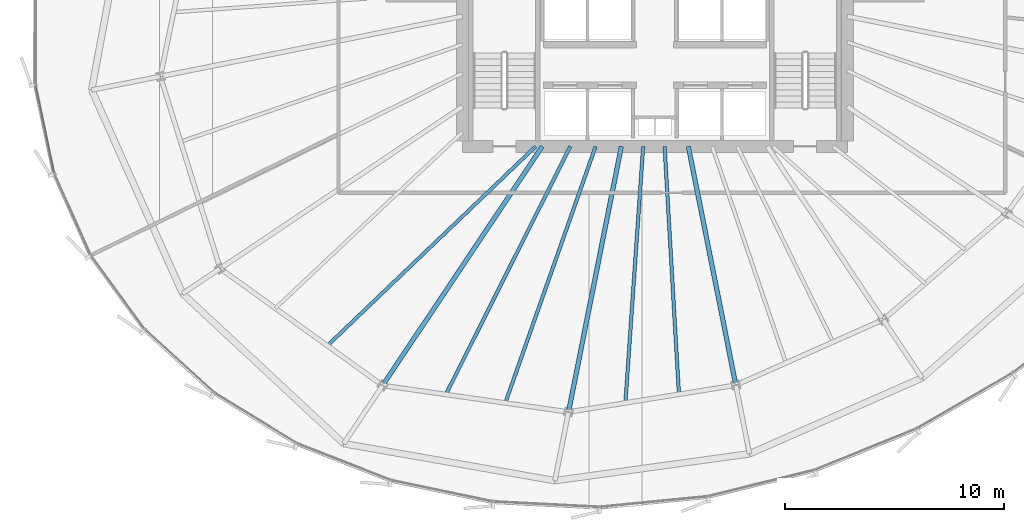
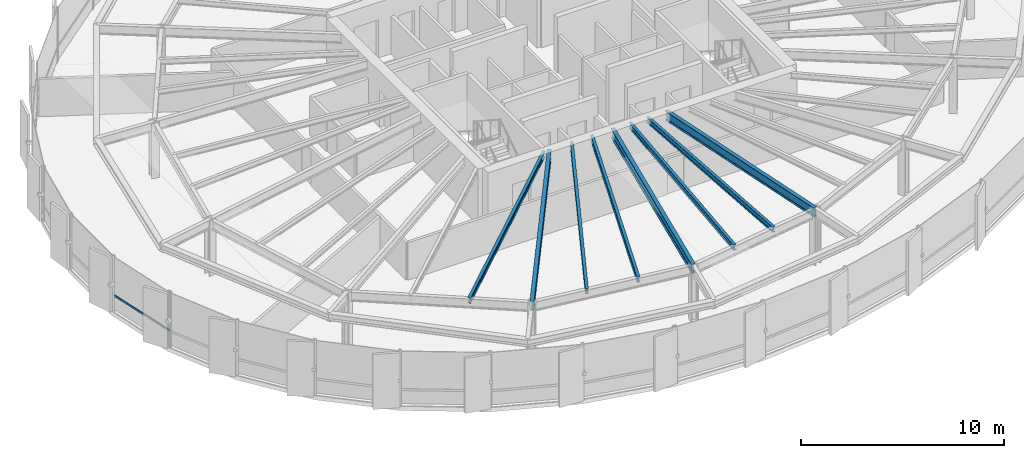
# One storey, part 7 of 35: 8 beams, 1 member, 1 element without a shape of its own.
"""IFC4 building model written with IfcOpenShell, lengths in metres."""

from ifc_helpers import new_model, si_unit, direction, frame, origin, origin_2d, place, context, subcontext, project, spatial, hollow_rectangle, i_section, extrude, source, transform, mapped, material, layer, layer_set, material_profile, profile_set, type_object, element, aggregate, save


model = new_model("IFC4")

# Units and contexts
model_context = context("Model", 3, precision=1e-05, world=origin(), true_north=direction((0.0, 1.0)))
body_context = subcontext(model_context, "Body", "Model", "MODEL_VIEW")
ifc_project = project(units=[si_unit("LENGTHUNIT", "METRE"), si_unit("AREAUNIT", "SQUARE_METRE"), si_unit("VOLUMEUNIT", "CUBIC_METRE"), si_unit("PLANEANGLEUNIT", "RADIAN"), si_unit("MASSUNIT", "GRAM", prefix="KILO"), si_unit("THERMODYNAMICTEMPERATUREUNIT", "KELVIN")], contexts=[model_context])

# Site, building, storey
site_placement = place(None, origin())
site = spatial("IfcSite", under=ifc_project, at=site_placement, CompositionType="ELEMENT")
building_placement = place(site_placement, origin())
building = spatial("IfcBuilding", under=site, at=building_placement, Name="Kethvar Cultural Tower", CompositionType="ELEMENT")
storey_placement = place(building_placement, frame((0.0, 0.0, 107.199951171875)))
storey = spatial("IfcBuildingStorey", under=building, at=storey_placement, Name="L26", CompositionType="ELEMENT", Elevation=107.199951171875)

# Beams
ifc_material_1 = material(Name="Steel S355J2", Category="steel")
ifc_material_profile_1 = material_profile(ifc_material_1, i_section(OverallWidth=0.2099609375, OverallDepth=0.550048828125, WebThickness=0.010986328125, FlangeThickness=0.01708984375, FilletRadius=0.02392578125, at=origin_2d()), Name="Steel S355J2 — IPE550")
ifc_profile_set_1 = profile_set([ifc_material_profile_1], Name="Steel S355J2 — IPE550")
beam_type_1 = type_object("IfcBeamType", Name="BM-IPE550", PredefinedType="BEAM", material=ifc_profile_set_1)
shared_shape_1 = source(origin(), body_context, "Body", "SweptSolid", [
    extrude(i_section(OverallWidth=0.2099609375, OverallDepth=0.550048828125, WebThickness=0.010986328125, FlangeThickness=0.01708984375, FilletRadius=0.02392578125, at=origin_2d()), origin(), (0.0, 0.0, 1.0), 13.147216796875),
])
beam_1_placement = place(storey_placement, frame((41.655029296875, 20.10009765625, 3.072998046875), z_axis=(-0.555565525446, -0.831472757783, 0.0), x_axis=(0.831472757783, -0.555565525446, 0.0)))
element("IfcBeam", 1, at=beam_1_placement, inside=storey, type_object=beam_type_1, Name="L26 Primary Radial Beam RB-11", PredefinedType="BEAM", context=body_context, shape_type="MappedRepresentation", body=[
    mapped(shared_shape_1, transform((0.0, 0.0, 0.0), scale=1.0)),
])
shared_shape_2 = source(origin(), body_context, "Body", "SweptSolid", [
    extrude(i_section(OverallWidth=0.2099609375, OverallDepth=0.550048828125, WebThickness=0.010986328125, FlangeThickness=0.01708984375, FilletRadius=0.02392578125, at=origin_2d()), origin(), (0.0, 0.0, 1.0), 12.384521484375),
])
beam_2_placement = place(storey_placement, frame((45.268310546875, 20.10009765625, 3.072998046875), z_axis=(-0.195084858678, -0.980786367113, 0.0), x_axis=(0.980786367113, -0.195084858678, 0.0)))
element("IfcBeam", 2, at=beam_2_placement, inside=storey, type_object=beam_type_1, Name="L26 Primary Radial Beam RB-12", PredefinedType="BEAM", context=body_context, shape_type="MappedRepresentation", body=[
    mapped(shared_shape_2, transform((0.0, 0.0, 0.0), scale=1.0)),
])
shared_shape_3 = source(origin(), body_context, "Body", "SweptSolid", [
    extrude(i_section(OverallWidth=0.2099609375, OverallDepth=0.550048828125, WebThickness=0.010986328125, FlangeThickness=0.01708984375, FilletRadius=0.02392578125, at=origin_2d()), origin(), (0.0, 0.0, 1.0), 11.131591796875),
])
beam_3_placement = place(storey_placement, frame((48.33154296875, 20.10009765625, 3.072998046875), z_axis=(0.195107998266, -0.980781764213, 0.0), x_axis=(0.980781764213, 0.195107998266, 0.0)))
element("IfcBeam", 3, at=beam_3_placement, inside=storey, type_object=beam_type_1, Name="L26 Primary Radial Beam RB-13", PredefinedType="BEAM", context=body_context, shape_type="MappedRepresentation", body=[
    mapped(shared_shape_3, transform((0.0, 0.0, 0.0), scale=1.0)),
])
ifc_material_profile_2 = material_profile(ifc_material_1, i_section(OverallWidth=0.159912109375, OverallDepth=0.330078125, WebThickness=0.007568359375, FlangeThickness=0.011474609375, FilletRadius=0.01806640625, at=origin_2d()), Name="Steel S355J2 — IPE330")
ifc_profile_set_2 = profile_set([ifc_material_profile_2], Name="Steel S355J2 — IPE330")
beam_type_2 = type_object("IfcBeamType", Name="BM-J330", PredefinedType="JOIST", material=ifc_profile_set_2)
shared_shape_4 = source(origin(), body_context, "Body", "SweptSolid", [
    extrude(i_section(OverallWidth=0.159912109375, OverallDepth=0.330078125, WebThickness=0.007568359375, FlangeThickness=0.011474609375, FilletRadius=0.01806640625, at=origin_2d()), origin(), (0.0, 0.0, 1.0), 13.1826171875),
])
beam_4_placement = place(storey_placement, frame((41.35009765625, 20.10009765625, 3.18310546875), z_axis=(-0.722573880181, -0.691293705801, 0.0), x_axis=(0.691293705801, -0.722573880181, 0.0)))
element("IfcBeam", 4, at=beam_4_placement, inside=storey, type_object=beam_type_2, Name="L26 Composite Floor Joist J-10B", PredefinedType="JOIST", context=body_context, shape_type="MappedRepresentation", body=[
    mapped(shared_shape_4, transform((0.0, 0.0, 0.0), scale=1.0)),
])
shared_shape_5 = source(origin(), body_context, "Body", "SweptSolid", [
    extrude(i_section(OverallWidth=0.159912109375, OverallDepth=0.330078125, WebThickness=0.007568359375, FlangeThickness=0.011474609375, FilletRadius=0.01806640625, at=origin_2d()), origin(), (0.0, 0.0, 1.0), 12.693603515625),
])
beam_5_placement = place(storey_placement, frame((42.935302734375, 20.10009765625, 3.18310546875), z_axis=(-0.448582495233, -0.893741430712, 0.0), x_axis=(0.893741430712, -0.448582495233, 0.0)))
element("IfcBeam", 5, at=beam_5_placement, inside=storey, type_object=beam_type_2, Name="L26 Composite Floor Joist J-11A", PredefinedType="JOIST", context=body_context, shape_type="MappedRepresentation", body=[
    mapped(shared_shape_5, transform((0.0, 0.0, 0.0), scale=1.0)),
])
shared_shape_6 = source(origin(), body_context, "Body", "SweptSolid", [
    extrude(i_section(OverallWidth=0.159912109375, OverallDepth=0.330078125, WebThickness=0.007568359375, FlangeThickness=0.011474609375, FilletRadius=0.01806640625, at=origin_2d()), origin(), (0.0, 0.0, 1.0), 12.4384765625),
])
beam_6_placement = place(storey_placement, frame((44.090576171875, 20.10009765625, 3.18310546875), z_axis=(-0.331923676994, -0.943306245421, 0.0), x_axis=(0.943306245421, -0.331923676994, 0.0)))
element("IfcBeam", 6, at=beam_6_placement, inside=storey, type_object=beam_type_2, Name="L26 Composite Floor Joist J-11B", PredefinedType="JOIST", context=body_context, shape_type="MappedRepresentation", body=[
    mapped(shared_shape_6, transform((0.0, 0.0, 0.0), scale=1.0)),
])
shared_shape_7 = source(origin(), body_context, "Body", "SweptSolid", [
    extrude(i_section(OverallWidth=0.159912109375, OverallDepth=0.330078125, WebThickness=0.007568359375, FlangeThickness=0.011474609375, FilletRadius=0.01806640625, at=origin_2d()), origin(), (0.0, 0.0, 1.0), 11.7568359375),
])
beam_7_placement = place(storey_placement, frame((46.266357421875, 20.10009765625, 3.18310546875), z_axis=(-0.069129203877, -0.997607715072, 0.0), x_axis=(0.997607715072, -0.069129203877, 0.0)))
element("IfcBeam", 7, at=beam_7_placement, inside=storey, type_object=beam_type_2, Name="L26 Composite Floor Joist J-12A", PredefinedType="JOIST", context=body_context, shape_type="MappedRepresentation", body=[
    mapped(shared_shape_7, transform((0.0, 0.0, 0.0), scale=1.0)),
])
shared_shape_8 = source(origin(), body_context, "Body", "SweptSolid", [
    extrude(i_section(OverallWidth=0.159912109375, OverallDepth=0.330078125, WebThickness=0.007568359375, FlangeThickness=0.011474609375, FilletRadius=0.01806640625, at=origin_2d()), origin(), (0.0, 0.0, 1.0), 11.354736328125),
])
beam_8_placement = place(storey_placement, frame((47.245849609375, 20.10009765625, 3.18310546875), z_axis=(0.057795585741, -0.998328438075, 0.0), x_axis=(0.998328438075, 0.057795585741, 0.0)))
element("IfcBeam", 8, at=beam_8_placement, inside=storey, type_object=beam_type_2, Name="L26 Composite Floor Joist J-12B", PredefinedType="JOIST", context=body_context, shape_type="MappedRepresentation", body=[
    mapped(shared_shape_8, transform((0.0, 0.0, 0.0), scale=1.0)),
])

# Curtain wall, member
ifc_material_2 = material(Name="Aluminium 6063-T6", Category="aluminium")
ifc_layer = layer(ifc_material_2, 0.179931640625, Name="Aluminium 6063-T6", Category="aluminium")
ifc_layer_set = layer_set([ifc_layer], Name="Aluminium 6063-T6 (180 mm)")
curtain_wall_type = type_object("IfcCurtainWallType", Name="CW-SYS-03-Z2", PredefinedType="NOTDEFINED", material=ifc_layer_set)
curtain_wall_placement = place(storey_placement, origin())
curtain_wall = element("IfcCurtainWall", 9, at=curtain_wall_placement, inside=storey, type_object=curtain_wall_type, Name="L26 Curtain Wall Run 03", PredefinedType="NOTDEFINED")
ifc_material_profile_3 = material_profile(ifc_material_2, hollow_rectangle(XDim=0.054931640625, YDim=0.1201171875, WallThickness=0.00390625, at=origin_2d()), Name="Aluminium 6063-T6 — RHS120x55x4")
ifc_profile_set_3 = profile_set([ifc_material_profile_3], Name="Aluminium 6063-T6 — RHS120x55x4")
member_type = type_object("IfcMemberType", Name="CW-SYS-03-Z2-TRN", PredefinedType="USERDEFINED", material=ifc_profile_set_3)
shared_shape_9 = source(origin(), body_context, "Body", "SweptSolid", [
    extrude(hollow_rectangle(XDim=0.054931640625, YDim=0.1201171875, WallThickness=0.00390625, at=origin_2d()), origin(), (0.0, 0.0, 1.0), 4.064208984375),
])
member_placement = place(storey_placement, frame((18.491943359375, 22.8837890625, 0.949951171875), z_axis=(0.206340456004, -0.97848025847, 0.0), x_axis=(0.97848025847, 0.206340456004, 0.0)))
member = element("IfcMember", 10, at=member_placement, type_object=member_type, Name="CW-L26-R03 Transom 6", ObjectType="TRANSOM", PredefinedType="USERDEFINED", context=body_context, shape_type="MappedRepresentation", body=[
    mapped(shared_shape_9, transform((0.0, 0.0, 0.0), scale=1.0)),
])
aggregate(curtain_wall, [member])

save(model, "model.ifc")
